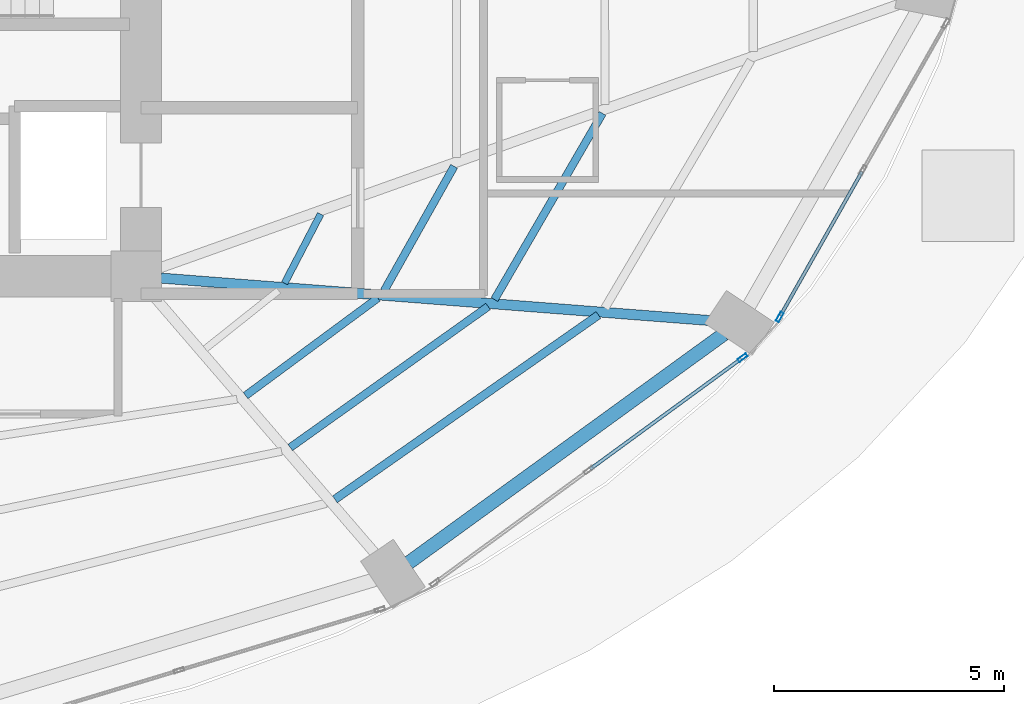
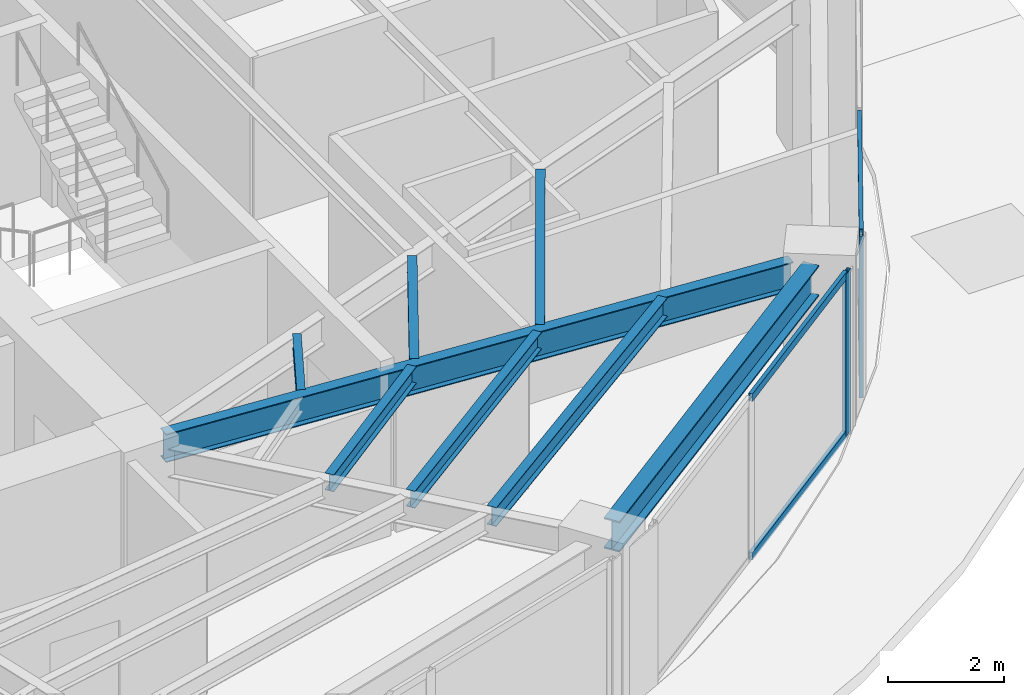
# One storey, part 10 of 25: 8 beams, 6 members, 2 elements without a shape of their own.
"""IFC4 building model written with IfcOpenShell, lengths in metres."""

from ifc_helpers import new_model, si_unit, direction, frame, origin, origin_2d, place, context, subcontext, project, spatial, hollow_rectangle, i_section, extrude, material, layer, layer_set, material_profile, profile_set, type_object, element, aggregate, save


model = new_model("IFC4")

# Units and contexts
model_context = context("Model", 3, precision=1e-05, world=origin(), true_north=direction((0.0, 1.0)))
body_context = subcontext(model_context, "Body", "Model", "MODEL_VIEW")
ifc_project = project(units=[si_unit("LENGTHUNIT", "METRE"), si_unit("AREAUNIT", "SQUARE_METRE"), si_unit("VOLUMEUNIT", "CUBIC_METRE"), si_unit("PLANEANGLEUNIT", "RADIAN"), si_unit("MASSUNIT", "GRAM", prefix="KILO")], contexts=[model_context])

# Site, building, storey
site_placement = place(None, origin())
site = spatial("IfcSite", under=ifc_project, at=site_placement, CompositionType="ELEMENT")
building_placement = place(site_placement, origin())
building = spatial("IfcBuilding", under=site, at=building_placement, Name="Lazwardi Medical Tower", CompositionType="ELEMENT")
storey_placement = place(building_placement, frame((0.0, 0.0, 25.199951171875)))
storey = spatial("IfcBuildingStorey", under=building, at=storey_placement, Name="L05", CompositionType="ELEMENT", Elevation=25.199951171875)

# Beams
ifc_material_1 = material(Name="Steel S355", Category="steel")
ifc_material_profile_1 = material_profile(ifc_material_1, i_section(OverallWidth=0.300048828125, OverallDepth=0.64990234375, WebThickness=0.01611328125, FlangeThickness=0.031005859375, at=origin_2d()), Name="HEB 650")
ifc_profile_set_1 = profile_set([ifc_material_profile_1], Name="Steel S355")
beam_type_1 = type_object("IfcBeamType", Name="BM-RB-Z1", PredefinedType="BEAM", material=ifc_profile_set_1)
beam_1_placement = place(storey_placement, frame((51.52099609375, 14.16259765625, 3.10302734375), z_axis=(0.80939338516, 0.5872668457, 0.0), x_axis=(-0.5872668457, 0.80939338516, 0.0)))
element("IfcBeam", 1, at=beam_1_placement, inside=storey, type_object=beam_type_1, Name="Ring beam RB-02 B02 L05", PredefinedType="BEAM", context=body_context, shape_type="SweptSolid", body=[
    extrude(i_section(OverallWidth=0.300048828125, OverallDepth=0.64990234375, WebThickness=0.01611328125, FlangeThickness=0.031005859375, at=origin_2d()), origin(), (0.0, 0.0, 1.0), 8.47412109375),
])
ifc_material_profile_2 = material_profile(ifc_material_1, i_section(OverallWidth=0.219970703125, OverallDepth=0.60009765625, WebThickness=0.011962890625, FlangeThickness=0.01904296875, at=origin_2d()), Name="IPE 600")
ifc_profile_set_2 = profile_set([ifc_material_profile_2], Name="Steel S355")
beam_type_2 = type_object("IfcBeamType", Name="BM-RG-W1", PredefinedType="BEAM", material=ifc_profile_set_2)
beam_2_placement = place(storey_placement, frame((58.1416015625, 19.430419921875, 3.1279296875), z_axis=(-0.997024241118, 0.077088667283, 0.0), x_axis=(-0.077088667283, -0.997024241118, 0.0)))
element("IfcBeam", 2, at=beam_2_placement, inside=storey, type_object=beam_type_2, Name="Radial girder RG-02 R03 L05", PredefinedType="BEAM", context=body_context, shape_type="SweptSolid", body=[
    extrude(i_section(OverallWidth=0.219970703125, OverallDepth=0.60009765625, WebThickness=0.011962890625, FlangeThickness=0.01904296875, at=origin_2d()), origin(), (0.0, 0.0, 1.0), 12.044189453125),
])
ifc_material_profile_3 = material_profile(ifc_material_1, i_section(OverallWidth=0.179931640625, OverallDepth=0.39990234375, WebThickness=0.008544921875, FlangeThickness=0.013427734375, at=origin_2d()), Name="IPE 400")
ifc_profile_set_3 = profile_set([ifc_material_profile_3], Name="Steel S355")
beam_type_3 = type_object("IfcBeamType", Name="BM-SJ-01", PredefinedType="JOIST", material=ifc_profile_set_3)
beam_3_placement = place(storey_placement, frame((49.91796875, 15.543701171875, 3.22802734375), z_axis=(0.81942522483, 0.573186096231, 0.0), x_axis=(-0.573186096231, 0.81942522483, 0.0)))
element("IfcBeam", 3, at=beam_3_placement, inside=storey, type_object=beam_type_3, Name="Secondary joist SJ-01 R1 B02 L05", PredefinedType="JOIST", context=body_context, shape_type="SweptSolid", body=[
    extrude(i_section(OverallWidth=0.179931640625, OverallDepth=0.39990234375, WebThickness=0.008544921875, FlangeThickness=0.013427734375, at=origin_2d()), origin(), (0.0, 0.0, 1.0), 6.999755859375),
])
ifc_material_profile_4 = material_profile(ifc_material_1, i_section(OverallWidth=0.169921875, OverallDepth=0.360107421875, WebThickness=0.008056640625, FlangeThickness=0.0126953125, at=origin_2d()), Name="IPE 360")
ifc_profile_set_4 = profile_set([ifc_material_profile_4], Name="Steel S355")
beam_type_4 = type_object("IfcBeamType", Name="BM-SJ-02", PredefinedType="JOIST", material=ifc_profile_set_4)
beam_4_placement = place(storey_placement, frame((48.94677734375, 16.672119140625, 3.248046875), z_axis=(0.814341377136, 0.580386183058, 0.0), x_axis=(-0.580386183058, 0.814341377136, 0.0)))
element("IfcBeam", 4, at=beam_4_placement, inside=storey, type_object=beam_type_4, Name="Secondary joist SJ-02 R2 B02 L05", PredefinedType="JOIST", context=body_context, shape_type="SweptSolid", body=[
    extrude(i_section(OverallWidth=0.169921875, OverallDepth=0.360107421875, WebThickness=0.008056640625, FlangeThickness=0.0126953125, at=origin_2d()), origin(), (0.0, 0.0, 1.0), 5.28759765625),
])
beam_5_placement = place(storey_placement, frame((53.39111328125, 19.892578125, 3.248046875), z_axis=(0.501798442848, 0.86498457949, 0.0), x_axis=(-0.86498457949, 0.501798442848, 0.0)))
element("IfcBeam", 5, at=beam_5_placement, inside=storey, type_object=beam_type_4, Name="Secondary joist SJ-02 R2 B03 L05", PredefinedType="JOIST", context=body_context, shape_type="SweptSolid", body=[
    extrude(i_section(OverallWidth=0.169921875, OverallDepth=0.360107421875, WebThickness=0.008056640625, FlangeThickness=0.0126953125, at=origin_2d()), origin(), (0.0, 0.0, 1.0), 4.683349609375),
])
beam_6_placement = place(storey_placement, frame((47.974853515625, 17.80126953125, 3.248046875), z_axis=(0.804580292353, 0.593843879448, 0.0), x_axis=(-0.593843879448, 0.804580292353, 0.0)))
element("IfcBeam", 6, at=beam_6_placement, inside=storey, type_object=beam_type_4, Name="Secondary joist SJ-02 R3 B02 L05", PredefinedType="JOIST", context=body_context, shape_type="SweptSolid", body=[
    extrude(i_section(OverallWidth=0.169921875, OverallDepth=0.360107421875, WebThickness=0.008056640625, FlangeThickness=0.0126953125, at=origin_2d()), origin(), (0.0, 0.0, 1.0), 3.576416015625),
])
beam_7_placement = place(storey_placement, frame((50.988037109375, 20.0791015625, 3.248046875), z_axis=(0.489974339037, 0.87173685656, 0.0), x_axis=(-0.87173685656, 0.489974339037, 0.0)))
element("IfcBeam", 7, at=beam_7_placement, inside=storey, type_object=beam_type_4, Name="Secondary joist SJ-02 R3 B03 L05", PredefinedType="JOIST", context=body_context, shape_type="SweptSolid", body=[
    extrude(i_section(OverallWidth=0.169921875, OverallDepth=0.360107421875, WebThickness=0.008056640625, FlangeThickness=0.0126953125, at=origin_2d()), origin(), (0.0, 0.0, 1.0), 3.111328125),
])
ifc_material_profile_5 = material_profile(ifc_material_1, i_section(OverallWidth=0.14990234375, OverallDepth=0.300048828125, WebThickness=0.007080078125, FlangeThickness=0.0107421875, at=origin_2d()), Name="IPE 300")
ifc_profile_set_5 = profile_set([ifc_material_profile_5], Name="Steel S355")
beam_type_5 = type_object("IfcBeamType", Name="BM-SJ-03", PredefinedType="JOIST", material=ifc_profile_set_5)
beam_8_placement = place(storey_placement, frame((48.82373046875, 20.247802734375, 3.278076171875), z_axis=(0.462162985948, 0.88679500135, 0.0), x_axis=(-0.88679500135, 0.462162985948, 0.0)))
element("IfcBeam", 8, at=beam_8_placement, inside=storey, type_object=beam_type_5, Name="Secondary joist SJ-03 R4 B03 L05", PredefinedType="JOIST", context=body_context, shape_type="SweptSolid", body=[
    extrude(i_section(OverallWidth=0.14990234375, OverallDepth=0.300048828125, WebThickness=0.007080078125, FlangeThickness=0.0107421875, at=origin_2d()), origin(), (0.0, 0.0, 1.0), 1.69775390625),
])

# Curtain wall, member
ifc_material_2 = material(Name="Anodised bronze aluminium and solar control glazing", Category="aluminium")
ifc_layer = layer(ifc_material_2, 0.199951171875)
ifc_layer_set = layer_set([ifc_layer], Name="Anodised bronze aluminium and solar control glazing")
curtain_wall_type = type_object("IfcCurtainWallType", Name="CW-SYS-02", PredefinedType="NOTDEFINED", material=ifc_layer_set)
curtain_wall_1_placement = place(storey_placement, origin())
curtain_wall_1 = element("IfcCurtainWall", 9, at=curtain_wall_1_placement, inside=storey, type_object=curtain_wall_type, Name="L05 Unitised bronze curtain wall CW-02", PredefinedType="NOTDEFINED")
ifc_material_3 = material(Name="Anodised bronze aluminium", Category="aluminium")
ifc_material_profile_6 = material_profile(ifc_material_3, hollow_rectangle(XDim=0.074951171875, YDim=0.219970703125, WallThickness=0.00390625, at=origin_2d()), Name="ALU-MULLION 220x75x4")
ifc_profile_set_6 = profile_set([ifc_material_profile_6], Name="Anodised bronze aluminium")
member_type_1 = type_object("IfcMemberType", Name="CW-MUL-01", PredefinedType="MULLION", material=ifc_profile_set_6)
member_1_placement = place(storey_placement, frame((58.790283203125, 18.62744140625, 0.0), z_axis=(0.0, 0.0, 1.0), x_axis=(-0.590289307341, 0.807191757663, 0.0)))
member_1 = element("IfcMember", 10, at=member_1_placement, type_object=member_type_1, Name="CW-02 mullion 3", PredefinedType="MULLION", context=body_context, shape_type="SweptSolid", body=[
    extrude(hollow_rectangle(XDim=0.074951171875, YDim=0.219970703125, WallThickness=0.00390625, at=origin_2d()), origin(), (0.0, 0.0, 1.0), 3.427978515625),
])

curtain_wall_2_placement = place(storey_placement, origin())
curtain_wall_2 = element("IfcCurtainWall", 11, at=curtain_wall_2_placement, inside=storey, type_object=curtain_wall_type, Name="L05 Unitised bronze curtain wall CW-02", PredefinedType="NOTDEFINED")
member_2_placement = place(storey_placement, frame((59.5966796875, 19.511474609375, 0.0), z_axis=(0.0, 0.0, 1.0), x_axis=(-0.870111838823, 0.492854327303, 0.0)))
member_2 = element("IfcMember", 12, at=member_2_placement, type_object=member_type_1, Name="CW-02 mullion 1", PredefinedType="MULLION", context=body_context, shape_type="SweptSolid", body=[
    extrude(hollow_rectangle(XDim=0.074951171875, YDim=0.219970703125, WallThickness=0.00390625, at=origin_2d()), origin(), (0.0, 0.0, 1.0), 3.427978515625),
])

# Member
ifc_material_profile_7 = material_profile(ifc_material_3, hollow_rectangle(XDim=0.074951171875, YDim=0.159912109375, WallThickness=0.00390625, at=origin_2d()), Name="ALU-TRANSOM 160x75x4")
ifc_profile_set_7 = profile_set([ifc_material_profile_7], Name="Anodised bronze aluminium")
member_type_2 = type_object("IfcMemberType", Name="CW-TRN-01", PredefinedType="USERDEFINED", material=ifc_profile_set_7)
member_3_placement = place(storey_placement, frame((55.474609375, 16.202880859375, 0.03759765625), z_axis=(0.807218536774, 0.590252686472, 0.0), x_axis=(-0.590252686472, 0.807218536774, 0.0)))
member_3 = element("IfcMember", 13, at=member_3_placement, type_object=member_type_2, Name="CW-02 transom 2.1", ObjectType="TRANSOM", PredefinedType="USERDEFINED", context=body_context, shape_type="SweptSolid", body=[
    extrude(hollow_rectangle(XDim=0.074951171875, YDim=0.159912109375, WallThickness=0.00390625, at=origin_2d()), origin(), (0.0, 0.0, 1.0), 4.070068359375),
])

member_4_placement = place(storey_placement, frame((55.474609375, 16.202880859375, 3.390625), z_axis=(0.807218536774, 0.590252686472, 0.0), x_axis=(-0.590252686472, 0.807218536774, 0.0)))
member_4 = element("IfcMember", 14, at=member_4_placement, type_object=member_type_2, Name="CW-02 transom 2.2", ObjectType="TRANSOM", PredefinedType="USERDEFINED", context=body_context, shape_type="SweptSolid", body=[
    extrude(hollow_rectangle(XDim=0.074951171875, YDim=0.159912109375, WallThickness=0.00390625, at=origin_2d()), origin(), (0.0, 0.0, 1.0), 4.070068359375),
])

aggregate(curtain_wall_1, [member_1, member_3, member_4])

member_5_placement = place(storey_placement, frame((59.615234375, 19.5439453125, 0.03759765625), z_axis=(0.49285148925, 0.870113446365, 0.0), x_axis=(-0.870113446365, 0.49285148925, 0.0)))
member_5 = element("IfcMember", 15, at=member_5_placement, type_object=member_type_2, Name="CW-02 transom 1.1", ObjectType="TRANSOM", PredefinedType="USERDEFINED", context=body_context, shape_type="SweptSolid", body=[
    extrude(hollow_rectangle(XDim=0.074951171875, YDim=0.159912109375, WallThickness=0.00390625, at=origin_2d()), origin(), (0.0, 0.0, 1.0), 3.594970703125),
])

member_6_placement = place(storey_placement, frame((59.615234375, 19.5439453125, 3.390625), z_axis=(0.49285148925, 0.870113446365, 0.0), x_axis=(-0.870113446365, 0.49285148925, 0.0)))
member_6 = element("IfcMember", 16, at=member_6_placement, type_object=member_type_2, Name="CW-02 transom 1.2", ObjectType="TRANSOM", PredefinedType="USERDEFINED", context=body_context, shape_type="SweptSolid", body=[
    extrude(hollow_rectangle(XDim=0.074951171875, YDim=0.159912109375, WallThickness=0.00390625, at=origin_2d()), origin(), (0.0, 0.0, 1.0), 3.594970703125),
])

aggregate(curtain_wall_2, [member_2, member_5, member_6])

save(model, "model.ifc")
